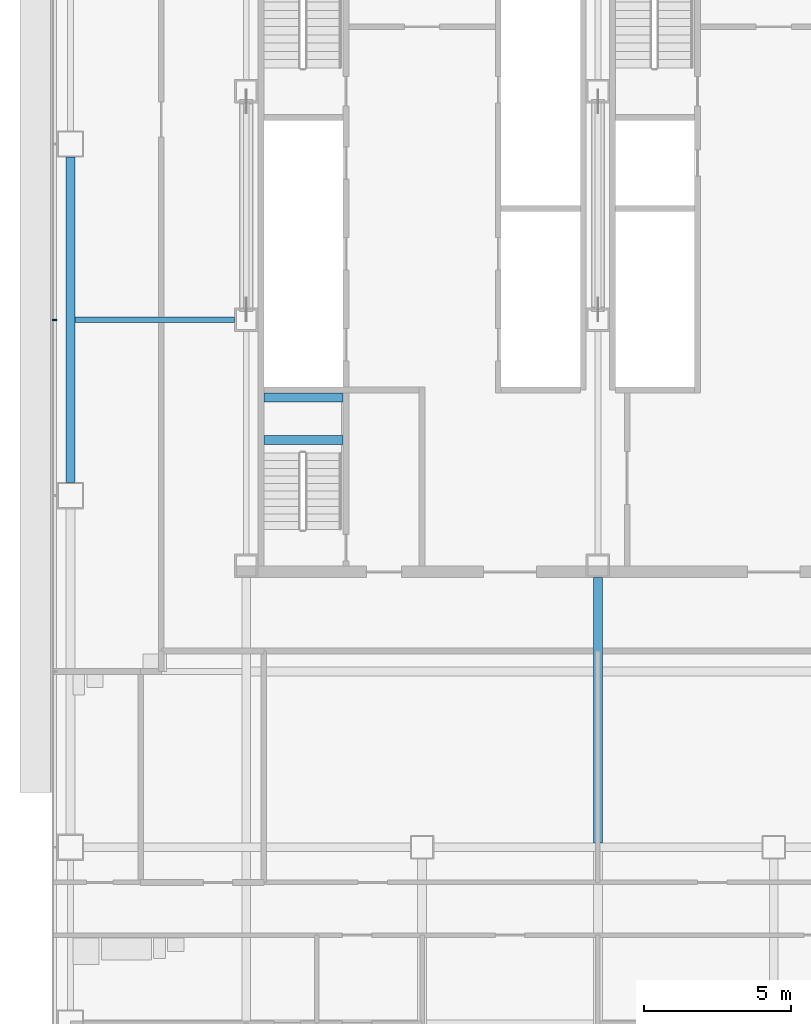
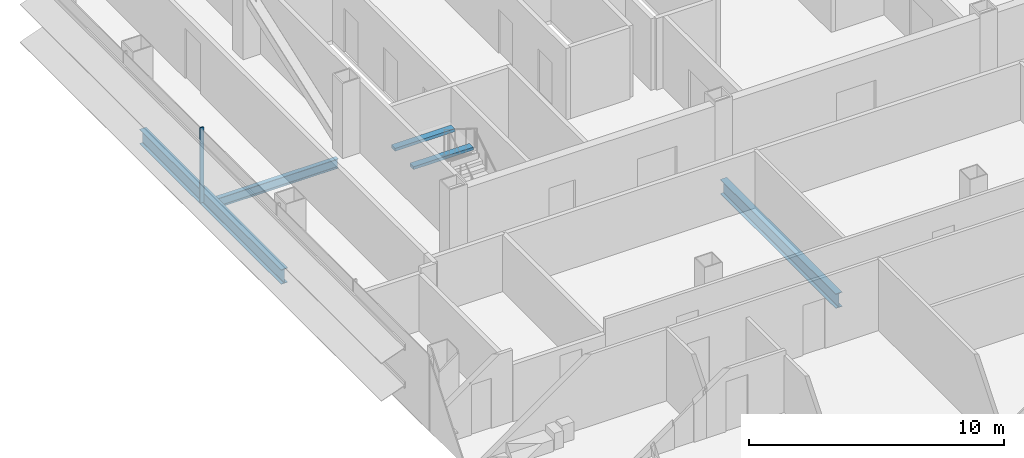
# One storey, part 6 of 27: 5 beams, 1 member, 1 element without a shape of its own.
"""IFC4 building model written with IfcOpenShell, lengths in metres."""

import ifcopenshell
import ifcopenshell.guid

model = None  # the IFC model being written
_history = None  # IfcOwnerHistory: only IFC2X3 demands one
_inside = {}  # id of a spatial element -> (the spatial element, [elements in it])
_under = {}  # id of a project, library or spatial element -> (it, [spatial elements below it])
_declared = {}  # id of a project -> (the project, [libraries it declares])
_typed = {}  # id of a type object -> (the type object, [elements of that type])
_made_of = {}  # id of a material, layer set ... -> (it, [elements and type objects made of it])


def new_model(schema):
    """Start an empty IFC model of exactly this schema.

    Asked for "IFC4X3", IfcOpenShell would pick the latest addendum, in which some entities
    have other attributes; the version numbers below select the first issue.
    IFC2X3 requires an IfcOwnerHistory on every rooted entity: one is made here for all.
    """
    global model, _history
    if schema == "IFC4X3":
        model = ifcopenshell.file(schema_version=(4, 3, 0, 0))
    else:
        model = ifcopenshell.file(schema=schema)
    _inside.clear()
    _under.clear()
    _declared.clear()
    _typed.clear()
    _made_of.clear()
    _history = None
    if model.schema == "IFC2X3":
        org = make("IfcOrganization", Name="unknown")
        user = make(
            "IfcPersonAndOrganization",
            ThePerson=make("IfcPerson", FamilyName="unknown"),
            TheOrganization=org,
        )
        app = make(
            "IfcApplication",
            ApplicationDeveloper=org,
            Version="unknown",
            ApplicationFullName="unknown",
            ApplicationIdentifier="unknown",
        )
        _history = make(
            "IfcOwnerHistory",
            OwningUser=user,
            OwningApplication=app,
            ChangeAction="ADDED",
            CreationDate=0,
        )
    return model


def make(cls, **values):
    """One entity of the class cls with the attributes given. An attribute that is None is left unset."""
    return model.create_entity(
        cls, **{name: value for name, value in values.items() if value is not None}
    )


def rooted(cls, **values):
    """An entity with a GlobalId (a new one), such as an element, a storey or a relation."""
    return make(cls, GlobalId=ifcopenshell.guid.new(), OwnerHistory=_history, **values)


def si_unit(unit_type, name, prefix=None):
    """IfcSIUnit, for example si_unit("LENGTHUNIT", "METRE", prefix="MILLI")."""
    return make("IfcSIUnit", UnitType=unit_type, Prefix=prefix, Name=name)


def assignment(units):
    """IfcUnitAssignment: the units of a project."""
    return None if units is None else make("IfcUnitAssignment", Units=units)


def point(xyz):
    """IfcCartesianPoint."""
    return None if xyz is None else make("IfcCartesianPoint", Coordinates=xyz)


def direction(xyz):
    """IfcDirection."""
    return None if xyz is None else make("IfcDirection", DirectionRatios=xyz)


def frame(location, z_axis=None, x_axis=None):
    """IfcAxis2Placement3D, a coordinate frame: its origin and axes. An axis left out is left unset."""
    return make(
        "IfcAxis2Placement3D",
        Location=point(location),
        Axis=direction(z_axis),
        RefDirection=direction(x_axis),
    )


def frame_2d(location, x_axis=None):
    """IfcAxis2Placement2D, a coordinate frame in the plane: its origin and x axis."""
    return make(
        "IfcAxis2Placement2D", Location=point(location), RefDirection=direction(x_axis)
    )


def origin():
    """The frame at (0, 0, 0) with its axes left unset."""
    return frame((0.0, 0.0, 0.0))


def origin_2d():
    """The frame at (0, 0) in the plane with its x axis left unset."""
    return frame_2d((0.0, 0.0))


def place(relative_to, where):
    """IfcLocalPlacement: puts the frame where relative to a parent placement (None: the world)."""
    return make(
        "IfcLocalPlacement", PlacementRelTo=relative_to, RelativePlacement=where
    )


def context(
    kind, dimensions, precision=None, world=None, true_north=None, identifier=None
):
    """IfcGeometricRepresentationContext, for example the 3D "Model" context."""
    return make(
        "IfcGeometricRepresentationContext",
        ContextIdentifier=identifier,
        ContextType=kind,
        CoordinateSpaceDimension=dimensions,
        Precision=precision,
        WorldCoordinateSystem=world,
        TrueNorth=true_north,
    )


def subcontext(parent, identifier, kind, view, scale=None):
    """IfcGeometricRepresentationSubContext, for example "Body" below "Model"."""
    return make(
        "IfcGeometricRepresentationSubContext",
        ContextIdentifier=identifier,
        ContextType=kind,
        ParentContext=parent,
        TargetScale=scale,
        TargetView=view,
    )


def project(units=None, contexts=None):
    """IfcProject with its units and contexts."""
    return rooted(
        "IfcProject",
        Name="project",
        RepresentationContexts=contexts,
        UnitsInContext=assignment(units),
    )


def spatial(cls, under=None, at=None, **own):
    """A site, building, storey or space (cls), placed at a placement, below another one or the project."""
    s = rooted(cls, ObjectPlacement=at, **own)
    if under is not None:
        _under.setdefault(under.id(), (under, []))[1].append(s)
    return s


def profile(cls, at=None, kind="AREA", **sizes):
    """A parametric profile (cls). Its sizes go by their IFC names, for example OverallWidth=200.0."""
    return make(cls, ProfileType=kind, Position=at, **sizes)


def rectangle(**sizes):
    """IfcRectangleProfileDef."""
    return profile("IfcRectangleProfileDef", **sizes)


def i_section(**sizes):
    """IfcIShapeProfileDef."""
    return profile("IfcIShapeProfileDef", **sizes)


def extrude(swept, where, along, depth):
    """IfcExtrudedAreaSolid: the profile swept, set in the frame where, extruded along a direction by depth."""
    return make(
        "IfcExtrudedAreaSolid",
        SweptArea=swept,
        Position=where,
        ExtrudedDirection=direction(along),
        Depth=depth,
    )


def shape(context_of_items, identifier, shape_type, items):
    """IfcShapeRepresentation: the items that make up one representation, for example the "Body"."""
    return make(
        "IfcShapeRepresentation",
        ContextOfItems=context_of_items,
        RepresentationIdentifier=identifier,
        RepresentationType=shape_type,
        Items=items,
    )


def material(Name=None, Category=None):
    """IfcMaterial."""
    return make("IfcMaterial", Name=Name, Category=Category)


def material_profile(
    of_material, cross_section, Name=None, Category=None, Priority=None
):
    """IfcMaterialProfile: a cross section and its material."""
    return make(
        "IfcMaterialProfile",
        Name=Name,
        Material=of_material,
        Profile=cross_section,
        Priority=Priority,
        Category=Category,
    )


def profile_set(profiles, Name=None, composite=None):
    """IfcMaterialProfileSet."""
    return make(
        "IfcMaterialProfileSet",
        Name=Name,
        MaterialProfiles=profiles,
        CompositeProfile=composite,
    )


def made_of(thing, what):
    """Note that an element or type object is made of a material, layer set ...; save() writes the relation."""
    if what is not None:
        _made_of.setdefault(what.id(), (what, []))[1].append(thing)
    return thing


def type_object(cls, material=None, **own):
    """A type object (cls), such as IfcWallType, which elements share."""
    return made_of(rooted(cls, **own), material)


def element(
    cls,
    number,
    at=None,
    inside=None,
    cuts=None,
    type_object=None,
    material=None,
    context=None,
    identifier="Body",
    shape_type=None,
    held_by="IfcProductDefinitionShape",
    body=None,
    shapes=None,
    **own,
):
    """One element of the class cls, such as IfcWall. Its Tag is "e" and its number.

    at: its placement. inside: the storey or other place that contains it. cuts: it is an
    opening in that element (IfcRelVoidsElement). A single representation is given by context,
    identifier, shape_type and body (its items); several are given by shapes. held_by: the class
    of the entity that holds the representations. save() writes the other relations.
    """
    e = rooted(cls, Tag="e%d" % number, ObjectPlacement=at, **own)
    if body is not None:
        shapes = [shape(context, identifier, shape_type, body)]
    if shapes is not None:
        e.Representation = make(held_by, Representations=shapes)
    if inside is not None:
        _inside.setdefault(inside.id(), (inside, []))[1].append(e)
    if cuts is not None:
        rooted(
            "IfcRelVoidsElement", RelatingBuildingElement=cuts, RelatedOpeningElement=e
        )
    if type_object is not None:
        _typed.setdefault(type_object.id(), (type_object, []))[1].append(e)
    return made_of(e, material)


def aggregate(whole, parts):
    """IfcRelAggregates: a whole, such as a stair, and the parts it consists of."""
    return rooted("IfcRelAggregates", RelatingObject=whole, RelatedObjects=parts)


def save(model, path):
    """Write the relations noted so far, then the file.

    IfcRelAggregates (storeys below a building ...), IfcRelContainedInSpatialStructure (elements
    in a storey), IfcRelDefinesByType, IfcRelAssociatesMaterial and IfcRelDeclares: one each for
    every whole, place, type object, material and project.
    """
    for whole, parts in _under.values():
        aggregate(whole, parts)
    for where, things in _inside.values():
        rooted(
            "IfcRelContainedInSpatialStructure",
            RelatedElements=things,
            RelatingStructure=where,
        )
    for kind, things in _typed.values():
        rooted("IfcRelDefinesByType", RelatedObjects=things, RelatingType=kind)
    for what, things in _made_of.values():
        rooted("IfcRelAssociatesMaterial", RelatedObjects=things, RelatingMaterial=what)
    for by, libraries in _declared.values():
        rooted("IfcRelDeclares", RelatingContext=by, RelatedDefinitions=libraries)
    model.write(path)


model = new_model("IFC4")

# Units and contexts
model_context = context("Model", 3, precision=1e-05, world=origin(), true_north=direction((0.0, 1.0)))
body_context = subcontext(model_context, "Body", "Model", "MODEL_VIEW")
ifc_project = project(units=[si_unit("LENGTHUNIT", "METRE"), si_unit("AREAUNIT", "SQUARE_METRE"), si_unit("VOLUMEUNIT", "CUBIC_METRE"), si_unit("PLANEANGLEUNIT", "RADIAN"), si_unit("MASSUNIT", "GRAM", prefix="KILO")], contexts=[model_context])

# Site, building, storey
site_placement = place(None, origin())
site = spatial("IfcSite", under=ifc_project, at=site_placement, CompositionType="ELEMENT")
building_placement = place(site_placement, origin())
building = spatial("IfcBuilding", under=site, at=building_placement, Name="Sorahane Residences", CompositionType="ELEMENT")
storey_placement = place(building_placement, frame((0.0, 0.0, 57.0)))
storey = spatial("IfcBuildingStorey", under=building, at=storey_placement, Name="L10", CompositionType="ELEMENT", Elevation=57.0)

# Curtain wall, member
ifc_material_1 = material(Name="Dark low-e glass and black anodised aluminium", Category="aluminium")
curtain_wall_type = type_object("IfcCurtainWallType", Name="Curtain wall CW-1 Typical unitised wall", PredefinedType="NOTDEFINED", material=ifc_material_1)
curtain_wall_placement = place(storey_placement, origin())
curtain_wall = element("IfcCurtainWall", 1, at=curtain_wall_placement, inside=storey, type_object=curtain_wall_type, Name="CW-1 curtain wall L10 W1", PredefinedType="NOTDEFINED")
ifc_material_2 = material(Name="Black anodised aluminium", Category="aluminium")
ifc_material_profile_1 = material_profile(ifc_material_2, rectangle(XDim=0.159912109375, YDim=0.050048828125, at=origin_2d()), Name="Curtain wall mullion CW-1 black anodised aluminium 50x160")
ifc_profile_set_1 = profile_set([ifc_material_profile_1], Name="Black anodised aluminium")
member_type = type_object("IfcMemberType", Name="Curtain wall mullion CW-1 black anodised aluminium 50x160", PredefinedType="MULLION", material=ifc_profile_set_1)
member_placement = place(storey_placement, frame((-0.5400390625, 30.0, -0.179931640625), z_axis=(0.0, 0.0, 1.0), x_axis=(-1.0, 0.0, 0.0)))
member = element("IfcMember", 2, at=member_placement, type_object=member_type, Name="CW-1 mullion L10 W1.3", PredefinedType="MULLION", context=body_context, shape_type="SweptSolid", body=[
    extrude(rectangle(XDim=0.159912109375, YDim=0.050048828125, at=origin_2d()), origin(), (0.0, 0.0, 1.0), 3.599853515625),
])
aggregate(curtain_wall, [member])

# Beams
ifc_material_3 = material(Name="Concrete C40", Category="concrete")
ifc_material_profile_2 = material_profile(ifc_material_3, rectangle(XDim=0.300048828125, YDim=0.139892578125, at=origin_2d()), Name="300x140")
ifc_profile_set_2 = profile_set([ifc_material_profile_2], Name="Concrete C40")
beam_type_1 = type_object("IfcBeamType", Name="RC landing beam 300 x 140 Concrete C40", PredefinedType="BEAM", material=ifc_profile_set_2)
for number, where, z_axis, x_axis, name in (
    (3, (6.60009765625, 25.89990234375, 1.530029296875), (1.0, 0.0, 0.0), (0.0, 1.0, 0.0), "Landing beam"),
    (4, (6.60009765625, 27.35009765625, 1.530029296875), (1.0, 0.0, 0.0), (0.0, 1.0, 0.0), "Landing beam"),
):
    element("IfcBeam", number, at=place(storey_placement, frame(where, z_axis=z_axis, x_axis=x_axis)), inside=storey, type_object=beam_type_1, Name=name, PredefinedType="BEAM", context=body_context, shape_type="SweptSolid", body=[
        extrude(rectangle(XDim=0.300048828125, YDim=0.139892578125, at=origin_2d()), origin(), (0.0, 0.0, 1.0), 2.699951171875),
    ])
ifc_material_4 = material(Name="Steel Q355B", Category="steel")
ifc_material_profile_3 = material_profile(ifc_material_4, i_section(OverallWidth=0.199951171875, OverallDepth=0.449951171875, WebThickness=0.009033203125, FlangeThickness=0.013916015625, FilletRadius=0.02001953125, at=origin_2d()), Name="HN 450x200x9x14")
ifc_profile_set_3 = profile_set([ifc_material_profile_3], Name="Steel Q355B")
beam_type_2 = type_object("IfcBeamType", Name="Steel floor beam HN 450x200x9x14 Q355B", PredefinedType="BEAM", material=ifc_profile_set_3)
beam_1_placement = place(storey_placement, frame((0.14990234375, 30.0, -0.405029296875), z_axis=(1.0, 0.0, 0.0), x_axis=(0.0, 1.0, 0.0)))
element("IfcBeam", 5, at=beam_1_placement, inside=storey, type_object=beam_type_2, Name="Beam L10 076", PredefinedType="BEAM", context=body_context, shape_type="SweptSolid", body=[
    extrude(i_section(OverallWidth=0.199951171875, OverallDepth=0.449951171875, WebThickness=0.009033203125, FlangeThickness=0.013916015625, FilletRadius=0.02001953125, at=origin_2d()), origin(), (0.0, 0.0, 1.0), 5.4501953125),
])
ifc_material_5 = material(Name="Steel Q355B", Category="steel")
ifc_material_profile_4 = material_profile(ifc_material_5, i_section(OverallWidth=0.300048828125, OverallDepth=0.699951171875, WebThickness=0.012939453125, FlangeThickness=0.02392578125, FilletRadius=0.028076171875, at=origin_2d()), Name="HN 700x300x13x24")
ifc_profile_set_4 = profile_set([ifc_material_profile_4], Name="Steel Q355B")
beam_type_3 = type_object("IfcBeamType", Name="Steel floor beam HN 700x300x13x24 Q355B", PredefinedType="BEAM", material=ifc_profile_set_4)
beam_2_placement = place(storey_placement, frame((0.0, 24.449951171875, -0.530029296875), z_axis=(0.0, 1.0, 0.0), x_axis=(-1.0, 0.0, 0.0)))
element("IfcBeam", 6, at=beam_2_placement, inside=storey, type_object=beam_type_3, Name="Beam L10 019", PredefinedType="BEAM", context=body_context, shape_type="SweptSolid", body=[
    extrude(i_section(OverallWidth=0.300048828125, OverallDepth=0.699951171875, WebThickness=0.012939453125, FlangeThickness=0.02392578125, FilletRadius=0.028076171875, at=origin_2d()), origin(), (0.0, 0.0, 1.0), 11.10009765625),
])
beam_3_placement = place(storey_placement, frame((18.0, 12.14990234375, -0.530029296875), z_axis=(0.0, 1.0, 0.0), x_axis=(-1.0, 0.0, 0.0)))
element("IfcBeam", 7, at=beam_3_placement, inside=storey, type_object=beam_type_3, Name="Beam L10 030", PredefinedType="BEAM", context=body_context, shape_type="SweptSolid", body=[
    extrude(i_section(OverallWidth=0.300048828125, OverallDepth=0.699951171875, WebThickness=0.012939453125, FlangeThickness=0.02392578125, FilletRadius=0.028076171875, at=origin_2d()), origin(), (0.0, 0.0, 1.0), 9.050048828125),
])

save(model, "model.ifc")
